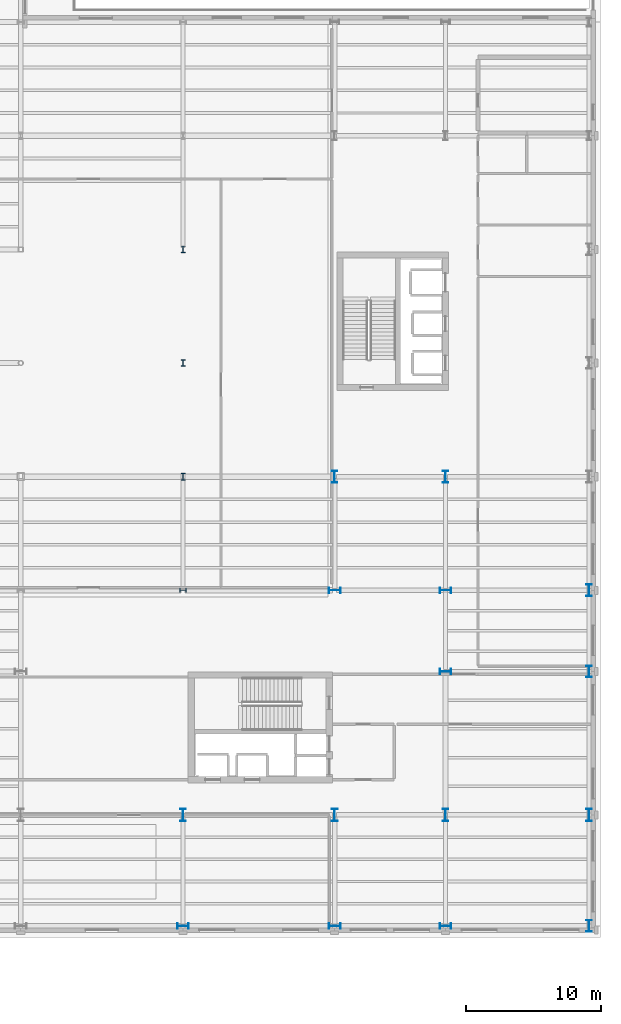
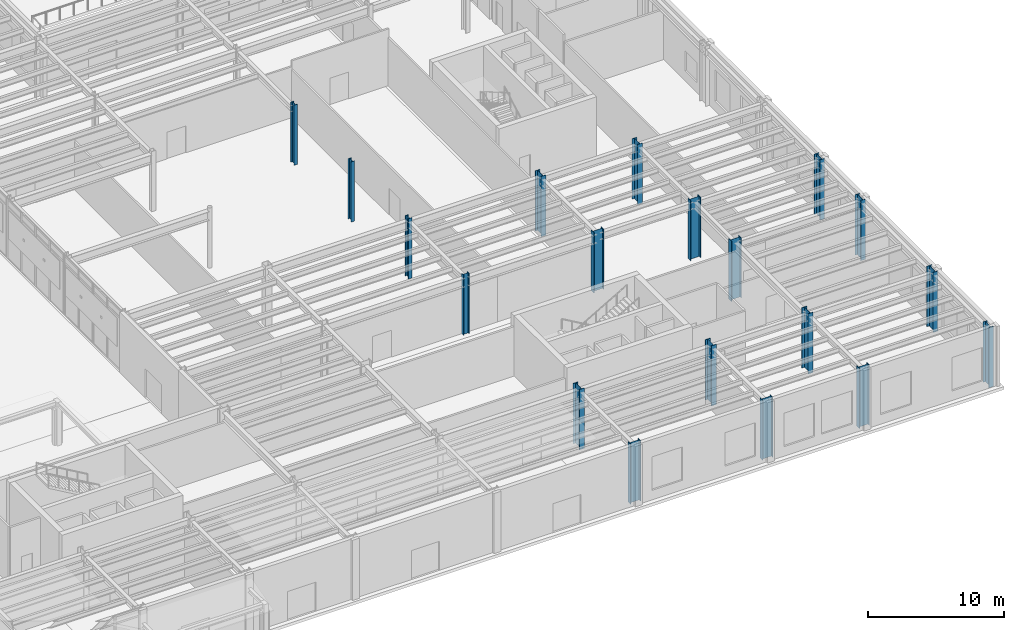
# One storey, part 14 of 94: 19 columns.
"""IFC4 building model written with IfcOpenShell, lengths in metres."""

from ifc_helpers import new_model, si_unit, direction, frame, origin, origin_2d, place, context, subcontext, project, spatial, i_section, extrude, material, material_profile, profile_set, type_object, element, save


model = new_model("IFC4")

# Units and contexts
model_context = context("Model", 3, precision=1e-05, world=origin(), true_north=direction((0.0, 1.0)))
body_context = subcontext(model_context, "Body", "Model", "MODEL_VIEW")
ifc_project = project(units=[si_unit("LENGTHUNIT", "METRE"), si_unit("AREAUNIT", "SQUARE_METRE"), si_unit("VOLUMEUNIT", "CUBIC_METRE"), si_unit("PLANEANGLEUNIT", "RADIAN"), si_unit("MASSUNIT", "GRAM", prefix="KILO")], contexts=[model_context])

# Site, building, storey
site_placement = place(None, origin())
site = spatial("IfcSite", under=ifc_project, at=site_placement, CompositionType="ELEMENT")
building_placement = place(site_placement, origin())
building = spatial("IfcBuilding", under=site, at=building_placement, Name="Sollismere Congress Hotel", CompositionType="ELEMENT")
storey_placement = place(building_placement, origin())
storey = spatial("IfcBuildingStorey", under=building, at=storey_placement, Name="L00", CompositionType="ELEMENT", Elevation=0.0)

# Columns
ifc_material = material(Name="Steel ASTM A992 Grade 50", Category="steel")
ifc_material_profile_1 = material_profile(ifc_material, i_section(OverallWidth=0.283935546875, OverallDepth=0.4951171875, WebThickness=0.0185546875, FlangeThickness=0.033447265625, at=origin_2d()), Name="W18X143")
ifc_profile_set_1 = profile_set([ifc_material_profile_1], Name="Steel ASTM A992 Grade 50")
column_type_1 = type_object("IfcColumnType", Name="COL-W18", PredefinedType="COLUMN", material=ifc_profile_set_1)
for number, where, z_axis, x_axis, name in (
    (1, (136.0, 24.800048828125, 0.0), (0.0, 0.0, 1.0), (0.0, 1.0, 0.0), "Column CL-L00-754"),
    (2, (136.0, 33.199951171875, 0.0), (0.0, 0.0, 1.0), (1.0, 0.0, 0.0), "Column CL-L00-757"),
    (3, (136.0, 41.60009765625, 0.0), (0.0, 0.0, 1.0), (1.0, 0.0, 0.0), "Column CL-L00-761"),
    (4, (136.0, 50.0, 0.0), (0.0, 0.0, 1.0), (1.0, 0.0, 0.0), "Column CL-L00-765"),
):
    element("IfcColumn", number, at=place(storey_placement, frame(where, z_axis=z_axis, x_axis=x_axis)), inside=storey, type_object=column_type_1, Name=name, PredefinedType="COLUMN", context=body_context, shape_type="SweptSolid", body=[
        extrude(i_section(OverallWidth=0.283935546875, OverallDepth=0.4951171875, WebThickness=0.0185546875, FlangeThickness=0.033447265625, at=origin_2d()), origin(), (0.0, 0.0, 1.0), 5.39990234375),
    ])
ifc_material_profile_2 = material_profile(ifc_material, i_section(OverallWidth=0.404052734375, OverallDepth=0.868896484375, WebThickness=0.02099609375, FlangeThickness=0.03564453125, at=origin_2d()), Name="W33X241")
ifc_profile_set_2 = profile_set([ifc_material_profile_2], Name="Steel ASTM A992 Grade 50")
column_type_2 = type_object("IfcColumnType", Name="COL-W33", PredefinedType="COLUMN", material=ifc_profile_set_2)
for number, where, z_axis, x_axis, name in (
    (5, (136.0, 0.0, 0.0), (0.0, 0.0, 1.0), (0.0, 1.0, 0.0), "Column CL-L00-728"),
    (6, (147.199951171875, 0.0, 0.0), (0.0, 0.0, 1.0), (0.0, 1.0, 0.0), "Column CL-L00-781"),
    (7, (147.199951171875, 24.800048828125, 0.0), (0.0, 0.0, 1.0), (0.0, 1.0, 0.0), "Column CL-L00-807"),
    (8, (147.199951171875, 33.199951171875, 0.0), (0.0, 0.0, 1.0), (1.0, 0.0, 0.0), "Column CL-L00-820"),
    (9, (155.39990234375, 0.0, 0.0), (0.0, 0.0, 1.0), (0.0, 1.0, 0.0), "Column CL-L00-856"),
    (10, (155.39990234375, 18.800048828125, 0.0), (0.0, 0.0, 1.0), (0.0, 1.0, 0.0), "Column CL-L00-882"),
    (11, (155.39990234375, 24.800048828125, 0.0), (0.0, 0.0, 1.0), (0.0, 1.0, 0.0), "Column CL-L00-895"),
    (12, (155.39990234375, 33.199951171875, 0.0), (0.0, 0.0, 1.0), (1.0, 0.0, 0.0), "Column CL-L00-908"),
    (13, (166.0, 0.0, 0.0), (0.0, 0.0, 1.0), (1.0, 0.0, 0.0), "Column CL-L00-944"),
    (14, (166.0, 18.800048828125, 0.0), (0.0, 0.0, 1.0), (1.0, 0.0, 0.0), "Column CL-L00-970"),
    (15, (166.0, 24.800048828125, 0.0), (0.0, 0.0, 1.0), (1.0, 0.0, 0.0), "Column CL-L00-983"),
):
    element("IfcColumn", number, at=place(storey_placement, frame(where, z_axis=z_axis, x_axis=x_axis)), inside=storey, type_object=column_type_2, Name=name, PredefinedType="COLUMN", context=body_context, shape_type="SweptSolid", body=[
        extrude(i_section(OverallWidth=0.404052734375, OverallDepth=0.868896484375, WebThickness=0.02099609375, FlangeThickness=0.03564453125, at=origin_2d()), origin(), (0.0, 0.0, 1.0), 5.39990234375),
    ])
ifc_material_profile_3 = material_profile(ifc_material, i_section(OverallWidth=0.424072265625, OverallDepth=0.93994140625, WebThickness=0.02392578125, FlangeThickness=0.042724609375, at=origin_2d()), Name="W36X302")
ifc_profile_set_3 = profile_set([ifc_material_profile_3], Name="Steel ASTM A992 Grade 50")
column_type_3 = type_object("IfcColumnType", Name="COL-W36", PredefinedType="COLUMN", material=ifc_profile_set_3)
for number, where, z_axis, x_axis, name in (
    (16, (136.0, 8.199951171875, 0.0), (0.0, 0.0, 1.0), (1.0, 0.0, 0.0), "Column CL-L00-741"),
    (17, (147.199951171875, 8.199951171875, 0.0), (0.0, 0.0, 1.0), (1.0, 0.0, 0.0), "Column CL-L00-794"),
    (18, (155.39990234375, 8.199951171875, 0.0), (0.0, 0.0, 1.0), (1.0, 0.0, 0.0), "Column CL-L00-869"),
    (19, (166.0, 8.199951171875, 0.0), (0.0, 0.0, 1.0), (1.0, 0.0, 0.0), "Column CL-L00-957"),
):
    element("IfcColumn", number, at=place(storey_placement, frame(where, z_axis=z_axis, x_axis=x_axis)), inside=storey, type_object=column_type_3, Name=name, PredefinedType="COLUMN", context=body_context, shape_type="SweptSolid", body=[
        extrude(i_section(OverallWidth=0.424072265625, OverallDepth=0.93994140625, WebThickness=0.02392578125, FlangeThickness=0.042724609375, at=origin_2d()), origin(), (0.0, 0.0, 1.0), 5.39990234375),
    ])

save(model, "model.ifc")
